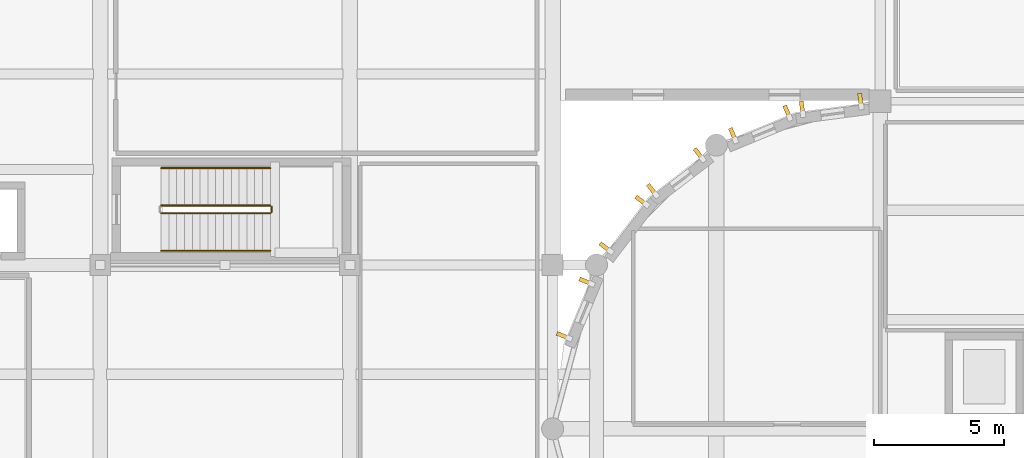
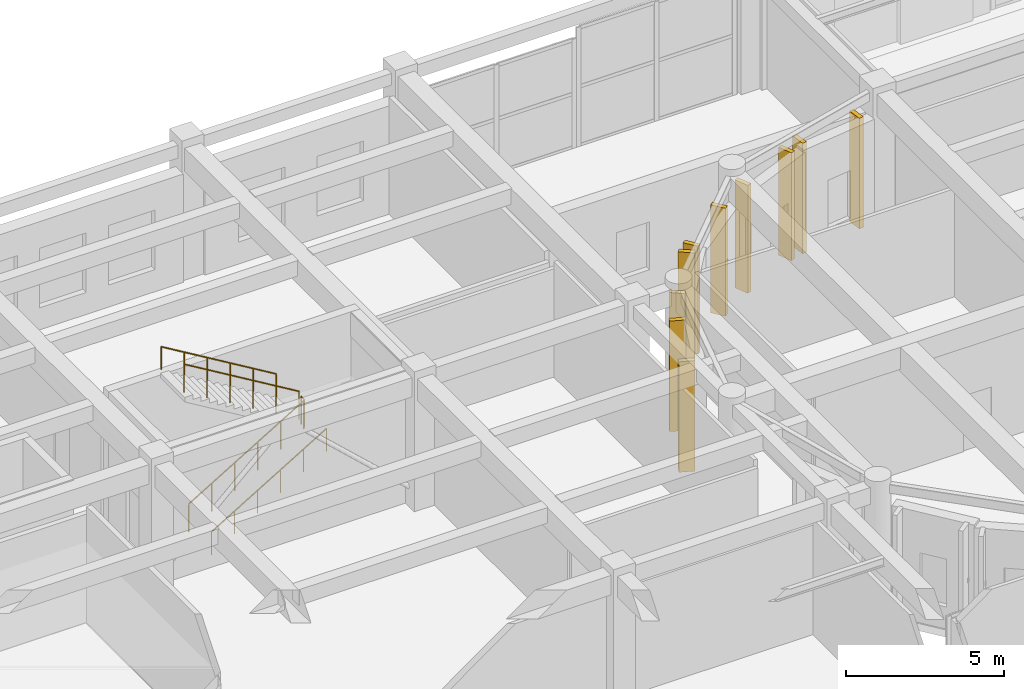
# One storey, part 91 of 98: 10 coverings, 5 railings.
"""IFC4 building model written with IfcOpenShell, lengths in metres."""

from ifc_helpers import new_model, si_unit, direction, frame, origin, origin_2d, place, context, subcontext, project, spatial, rectangle, circle, extrude, material, layer, layer_set, type_object, element, save


model = new_model("IFC4")

# Units and contexts
model_context = context("Model", 3, precision=1e-05, world=origin(), true_north=direction((0.0, 1.0)))
body_context = subcontext(model_context, "Body", "Model", "MODEL_VIEW")
ifc_project = project(units=[si_unit("LENGTHUNIT", "METRE"), si_unit("AREAUNIT", "SQUARE_METRE"), si_unit("VOLUMEUNIT", "CUBIC_METRE"), si_unit("PLANEANGLEUNIT", "RADIAN"), si_unit("MASSUNIT", "GRAM", prefix="KILO")], contexts=[model_context])

# Site, building, storey
site_placement = place(None, origin())
site = spatial("IfcSite", under=ifc_project, at=site_placement, CompositionType="ELEMENT")
building_placement = place(site_placement, origin())
building = spatial("IfcBuilding", under=site, at=building_placement, Name="Tarnavel Promenade Courthouse", CompositionType="ELEMENT")
storey_placement = place(building_placement, origin())
storey = spatial("IfcBuildingStorey", under=building, at=storey_placement, Name="L01", CompositionType="ELEMENT", Elevation=0.0)

# Railings
ifc_material_1 = material(Name="Brushed Bronze Tubular Stair Handrail")
railing_type_1 = type_object("IfcRailingType", Name="Brushed Bronze Tubular Stair Handrail (RL-HND-0900)", PredefinedType="HANDRAIL", material=ifc_material_1)
railing_1_placement = place(storey_placement, frame((31.139892578125, 98.64990234375, 0.179931640625)))
element("IfcRailing", 1, at=railing_1_placement, inside=storey, type_object=railing_type_1, Name="L01 ST-07 stair handrail 1", PredefinedType="HANDRAIL", context=body_context, shape_type="SweptSolid", body=[
    extrude(circle(Radius=0.02392578125, at=origin_2d()), frame((0.0, 0.0, 0.8759765625), z_axis=(0.857501721439, 0.0, 0.514481095599), x_axis=(0.0, 1.0, 0.0)), (0.0, 0.0, 1.0), 4.898193359375),
    extrude(circle(Radius=0.02099609375, at=origin_2d()), origin(), (0.0, 0.0, 1.0), 0.851806640625),
    extrude(circle(Radius=0.02099609375, at=origin_2d()), frame((0.840087890625, 0.0, 0.50390625)), (0.0, 0.0, 1.0), 0.851806640625),
    extrude(circle(Radius=0.02099609375, at=origin_2d()), frame((1.68017578125, 0.0, 1.008056640625)), (0.0, 0.0, 1.0), 0.851806640625),
    extrude(circle(Radius=0.02099609375, at=origin_2d()), frame((2.52001953125, 0.0, 1.511962890625)), (0.0, 0.0, 1.0), 0.851806640625),
    extrude(circle(Radius=0.02099609375, at=origin_2d()), frame((3.360107421875, 0.0, 2.01611328125)), (0.0, 0.0, 1.0), 0.851806640625),
    extrude(circle(Radius=0.02099609375, at=origin_2d()), frame((4.2001953125, 0.0, 2.52001953125)), (0.0, 0.0, 1.0), 0.851806640625),
])
railing_2_placement = place(storey_placement, frame((35.340087890625, 101.830078125, 2.8798828125)))
element("IfcRailing", 2, at=railing_2_placement, inside=storey, type_object=railing_type_1, Name="L01 ST-07 stair handrail 2", PredefinedType="HANDRAIL", context=body_context, shape_type="SweptSolid", body=[
    extrude(circle(Radius=0.02392578125, at=origin_2d()), frame((0.0, 0.0, 0.8759765625), z_axis=(-0.857501721439, 0.0, 0.514481095599), x_axis=(0.0, -1.0, 0.0)), (0.0, 0.0, 1.0), 4.898193359375),
    extrude(circle(Radius=0.02099609375, at=origin_2d()), origin(), (0.0, 0.0, 1.0), 0.851806640625),
    extrude(circle(Radius=0.02099609375, at=origin_2d()), frame((-0.840087890625, 0.0, 0.50390625)), (0.0, 0.0, 1.0), 0.851806640625),
    extrude(circle(Radius=0.02099609375, at=origin_2d()), frame((-1.68017578125, 0.0, 1.008056640625)), (0.0, 0.0, 1.0), 0.851806640625),
    extrude(circle(Radius=0.02099609375, at=origin_2d()), frame((-2.52001953125, 0.0, 1.511962890625)), (0.0, 0.0, 1.0), 0.851806640625),
    extrude(circle(Radius=0.02099609375, at=origin_2d()), frame((-3.360107421875, 0.0, 2.01611328125)), (0.0, 0.0, 1.0), 0.851806640625),
    extrude(circle(Radius=0.02099609375, at=origin_2d()), frame((-4.2001953125, 0.0, 2.52001953125)), (0.0, 0.0, 1.0), 0.851806640625),
])
ifc_material_2 = material(Name="Painted Architectural Steel Core Stair Guardrail", Category="steel")
railing_type_2 = type_object("IfcRailingType", Name="Painted Architectural Steel Core Stair Guardrail (RL-GRD-1100)", PredefinedType="GUARDRAIL", material=ifc_material_2)
railing_3_placement = place(storey_placement, frame((31.139892578125, 100.090087890625, 0.179931640625)))
element("IfcRailing", 3, at=railing_3_placement, inside=storey, type_object=railing_type_2, Name="L01 ST-07 stair guard 1", PredefinedType="GUARDRAIL", context=body_context, shape_type="SweptSolid", body=[
    extrude(circle(Radius=0.02392578125, at=origin_2d()), frame((0.0, 0.0, 1.076171875), z_axis=(0.857501721439, 0.0, 0.514481095599), x_axis=(0.0, 1.0, 0.0)), (0.0, 0.0, 1.0), 4.898193359375),
    extrude(circle(Radius=0.02099609375, at=origin_2d()), origin(), (0.0, 0.0, 1.0), 1.052001953125),
    extrude(circle(Radius=0.02099609375, at=origin_2d()), frame((0.840087890625, 0.0, 0.50390625)), (0.0, 0.0, 1.0), 1.052001953125),
    extrude(circle(Radius=0.02099609375, at=origin_2d()), frame((1.68017578125, 0.0, 1.008056640625)), (0.0, 0.0, 1.0), 1.052001953125),
    extrude(circle(Radius=0.02099609375, at=origin_2d()), frame((2.52001953125, 0.0, 1.511962890625)), (0.0, 0.0, 1.0), 1.052001953125),
    extrude(circle(Radius=0.02099609375, at=origin_2d()), frame((3.360107421875, 0.0, 2.01611328125)), (0.0, 0.0, 1.0), 1.052001953125),
    extrude(circle(Radius=0.02099609375, at=origin_2d()), frame((4.2001953125, 0.0, 2.52001953125)), (0.0, 0.0, 1.0), 1.052001953125),
])
railing_4_placement = place(storey_placement, frame((35.389892578125, 100.139892578125, 2.699951171875)))
element("IfcRailing", 4, at=railing_4_placement, inside=storey, type_object=railing_type_2, Name="L01 ST-07 stair guard 2", PredefinedType="GUARDRAIL", context=body_context, shape_type="SweptSolid", body=[
    extrude(circle(Radius=0.02392578125, at=origin_2d()), frame((0.0, 0.0, 1.076171875), z_axis=(0.0, 1.0, 0.0), x_axis=(-1.0, 0.0, 0.0)), (0.0, 0.0, 1.0), 0.2001953125),
    extrude(circle(Radius=0.02099609375, at=origin_2d()), origin(), (0.0, 0.0, 1.0), 1.052001953125),
    extrude(circle(Radius=0.02099609375, at=origin_2d()), frame((0.0, 0.2001953125, 0.0)), (0.0, 0.0, 1.0), 1.052001953125),
])
railing_5_placement = place(storey_placement, frame((35.340087890625, 100.389892578125, 2.8798828125)))
element("IfcRailing", 5, at=railing_5_placement, inside=storey, type_object=railing_type_2, Name="L01 ST-07 stair guard 3", PredefinedType="GUARDRAIL", context=body_context, shape_type="SweptSolid", body=[
    extrude(circle(Radius=0.02392578125, at=origin_2d()), frame((0.0, 0.0, 1.076171875), z_axis=(-0.857501721439, 0.0, 0.514481095599), x_axis=(0.0, -1.0, 0.0)), (0.0, 0.0, 1.0), 4.898193359375),
    extrude(circle(Radius=0.02099609375, at=origin_2d()), origin(), (0.0, 0.0, 1.0), 1.052001953125),
    extrude(circle(Radius=0.02099609375, at=origin_2d()), frame((-0.840087890625, 0.0, 0.50390625)), (0.0, 0.0, 1.0), 1.052001953125),
    extrude(circle(Radius=0.02099609375, at=origin_2d()), frame((-1.68017578125, 0.0, 1.008056640625)), (0.0, 0.0, 1.0), 1.052001953125),
    extrude(circle(Radius=0.02099609375, at=origin_2d()), frame((-2.52001953125, 0.0, 1.511962890625)), (0.0, 0.0, 1.0), 1.052001953125),
    extrude(circle(Radius=0.02099609375, at=origin_2d()), frame((-3.360107421875, 0.0, 2.01611328125)), (0.0, 0.0, 1.0), 1.052001953125),
    extrude(circle(Radius=0.02099609375, at=origin_2d()), frame((-4.2001953125, 0.0, 2.52001953125)), (0.0, 0.0, 1.0), 1.052001953125),
])

# Coverings
ifc_material_3 = material(Name="Patinated Copper-Bronze Fluted Pier Cladding")
ifc_layer = layer(ifc_material_3, 0.52001953125)
ifc_layer_set = layer_set([ifc_layer], Name="Patinated Copper-Bronze Fluted Pier Cladding")
covering_type = type_object("IfcCoveringType", Name="Patinated Copper-Bronze Fluted Pier Cladding COV-PIER-520 (520 mm)", PredefinedType="CLADDING", material=ifc_layer_set)
for number, where, z_axis, x_axis, name in (
    (6, (58.043212890625, 104.441650390625, 0.0), (0.0, 0.0, 1.0), (-0.991444861374, -0.13052619222, 0.0), "L01 W Drum Fluted Copper Pier 0001"),
    (7, (55.798095703125, 104.14599609375, 0.0), (0.0, 0.0, 1.0), (-0.991444861374, -0.13052619222, 0.0), "L01 W Drum Fluted Copper Pier 0002"),
):
    element("IfcCovering", number, at=place(storey_placement, frame(where, z_axis=z_axis, x_axis=x_axis)), inside=storey, type_object=covering_type, Name=name, PredefinedType="CLADDING", context=body_context, shape_type="SweptSolid", body=[
        extrude(rectangle(XDim=0.159912109375, YDim=0.52001953125, at=origin_2d()), origin(), (0.0, 0.0, 1.0), 4.27001953125),
    ])
for number, where, z_axis, x_axis, name in (
    (8, (55.2265625, 103.992919921875, 0.0), (0.0, 0.0, 1.0), (-0.923879532511, -0.382683432365, 0.0), "L01 W Drum Fluted Copper Pier 0003"),
    (9, (53.134765625, 103.12646484375, 0.0), (0.0, 0.0, 1.0), (-0.923879532511, -0.382683432365, 0.0), "L01 W Drum Fluted Copper Pier 0004"),
    (10, (51.82373046875, 102.369384765625, 0.0), (0.0, 0.0, 1.0), (-0.793353340291, -0.608761429009, 0.0), "L01 W Drum Fluted Copper Pier 0005"),
    (11, (50.02734375, 100.9912109375, 0.0), (0.0, 0.0, 1.0), (-0.793353340291, -0.608761429009, 0.0), "L01 W Drum Fluted Copper Pier 0006"),
):
    element("IfcCovering", number, at=place(storey_placement, frame(where, z_axis=z_axis, x_axis=x_axis)), inside=storey, type_object=covering_type, Name=name, PredefinedType="CLADDING", context=body_context, shape_type="SweptSolid", body=[
        extrude(rectangle(XDim=0.159912109375, YDim=0.52001953125, at=origin_2d()), origin(), (0.0, 0.0, 1.0), 4.169921875),
    ])
for number, where, z_axis, x_axis, name in (
    (12, (49.60888671875, 100.572509765625, 0.0), (0.0, 0.0, 1.0), (-0.608761429009, -0.793353340291, 0.0), "L01 W Drum Fluted Copper Pier 0007"),
    (13, (48.23046875, 98.7763671875, 0.0), (0.0, 0.0, 1.0), (-0.608761429009, -0.793353340291, 0.0), "L01 W Drum Fluted Copper Pier 0008"),
    (14, (47.4736328125, 97.46533203125, 0.0), (0.0, 0.0, 1.0), (-0.382683432365, -0.923879532511, 0.0), "L01 W Drum Fluted Copper Pier 0009"),
    (15, (46.607177734375, 95.373291015625, 0.0), (0.0, 0.0, 1.0), (-0.382683432365, -0.923879532511, 0.0), "L01 W Drum Fluted Copper Pier 0010"),
):
    element("IfcCovering", number, at=place(storey_placement, frame(where, z_axis=z_axis, x_axis=x_axis)), inside=storey, type_object=covering_type, Name=name, PredefinedType="CLADDING", context=body_context, shape_type="SweptSolid", body=[
        extrude(rectangle(XDim=0.159912109375, YDim=0.52001953125, at=origin_2d()), origin(), (0.0, 0.0, 1.0), 4.27001953125),
    ])

save(model, "model.ifc")
